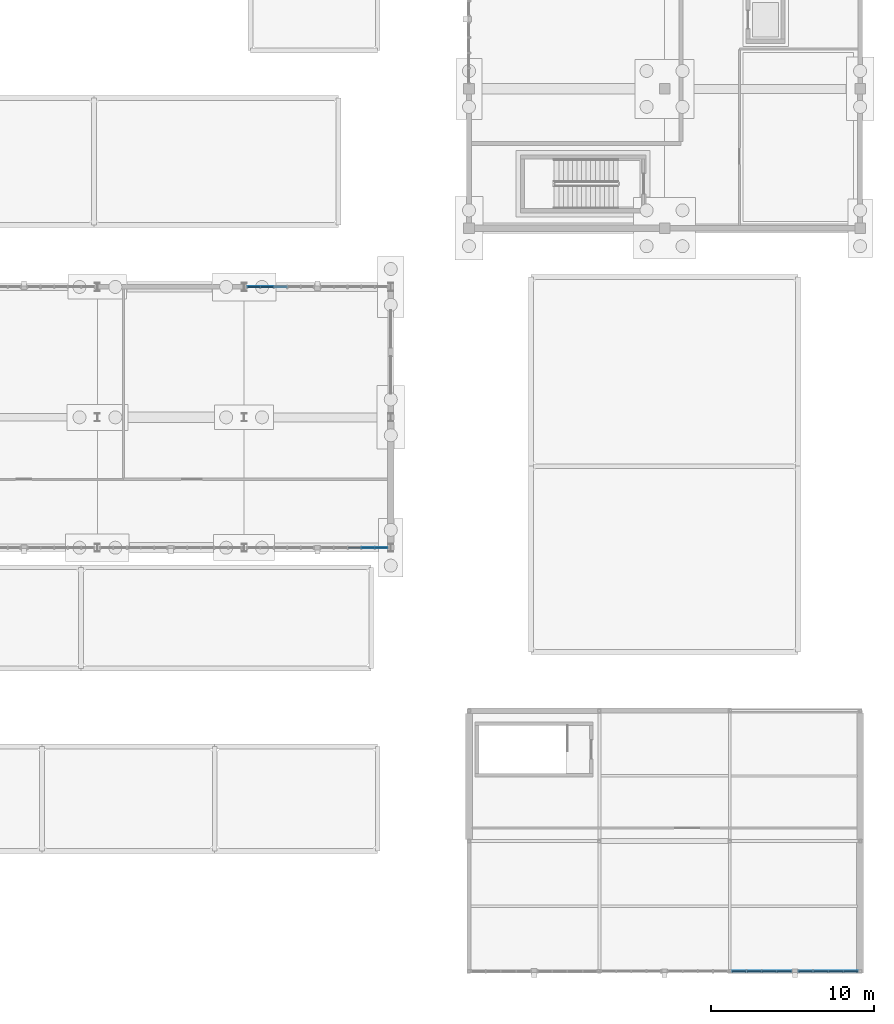
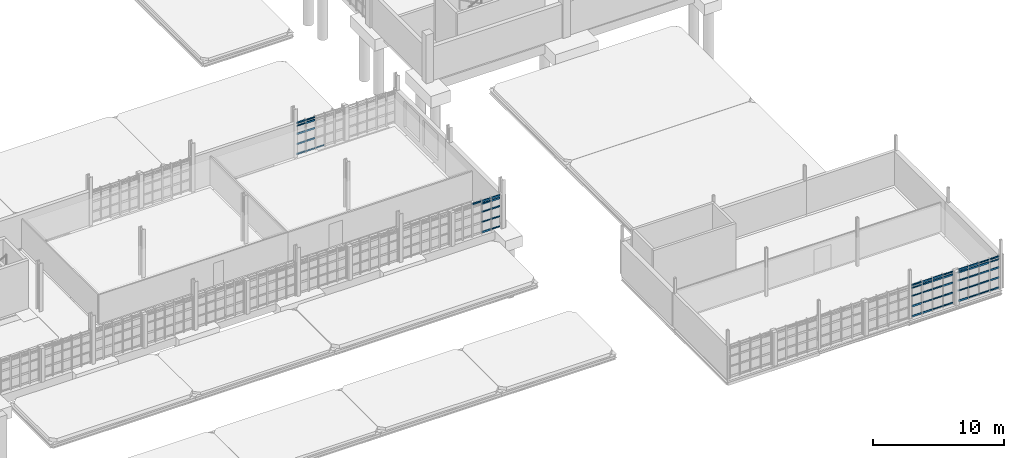
# One storey, part 69 of 125: 62 members, 4 elements without a shape of their own.
"""IFC4 building model written with IfcOpenShell, lengths in metres."""

from ifc_helpers import new_model, si_unit, direction, frame, origin, origin_2d, place, context, subcontext, project, spatial, rectangle, extrude, material, material_profile, profile_set, type_object, element, aggregate, save


model = new_model("IFC4")

# Units and contexts
model_context = context("Model", 3, precision=1e-05, world=origin(), true_north=direction((0.0, 1.0)))
body_context = subcontext(model_context, "Body", "Model", "MODEL_VIEW")
ifc_project = project(units=[si_unit("LENGTHUNIT", "METRE"), si_unit("AREAUNIT", "SQUARE_METRE"), si_unit("VOLUMEUNIT", "CUBIC_METRE"), si_unit("PLANEANGLEUNIT", "RADIAN"), si_unit("MASSUNIT", "GRAM", prefix="KILO")], contexts=[model_context])

# Site, building, storey
site_placement = place(None, origin())
site = spatial("IfcSite", under=ifc_project, at=site_placement, CompositionType="ELEMENT")
building_placement = place(site_placement, origin())
building = spatial("IfcBuilding", under=site, at=building_placement, Name="Serraforn Aerial Cableway Station", CompositionType="ELEMENT")
storey_placement = place(building_placement, frame((0.0, 0.0, 4.5)))
storey = spatial("IfcBuildingStorey", under=building, at=storey_placement, Name="L01", CompositionType="ELEMENT", Elevation=4.5)

# Curtain wall, members
ifc_material_1 = material(Name="Anodised bronze unitised curtain wall")
curtain_wall_type_1 = type_object("IfcCurtainWallType", Name="CW-SYS-7", PredefinedType="USERDEFINED", material=ifc_material_1)
curtain_wall_1_placement = place(storey_placement, origin())
curtain_wall_1 = element("IfcCurtainWall", 1, at=curtain_wall_1_placement, inside=storey, type_object=curtain_wall_type_1, Name="Unitised Curtain Wall CW-ES-L01-S3A", ObjectType="UNITISED CURTAIN WALL", PredefinedType="USERDEFINED")
ifc_material_2 = material(Name="Anodised bronze extruded aluminium", Category="aluminium")
ifc_material_profile_1 = material_profile(ifc_material_2, rectangle(XDim=0.054931640625, YDim=0.110107421875, at=origin_2d()), Name="CW TRANSOM 55x110")
ifc_profile_set_1 = profile_set([ifc_material_profile_1], Name="Anodised bronze extruded aluminium")
member_type_1 = type_object("IfcMemberType", Name="CW-TRN-1", PredefinedType="USERDEFINED", material=ifc_profile_set_1)
member_1_placement = place(storey_placement, frame((160.160888671875, 0.0, 1.996826171875), z_axis=(1.0, 0.0, 0.0), x_axis=(0.0, 1.0, 0.0)))
member_1 = element("IfcMember", 2, at=member_1_placement, type_object=member_type_1, Name="Curtain Wall Transom CW-ES-L01-S3A-T1-3", ObjectType="TRANSOM", PredefinedType="USERDEFINED", context=body_context, shape_type="SweptSolid", body=[
    extrude(rectangle(XDim=0.054931640625, YDim=0.110107421875, at=origin_2d()), origin(), (0.0, 0.0, 1.0), 0.834716796875),
])
member_2_placement = place(storey_placement, frame((161.0615234375, 0.0, 1.060791015625), z_axis=(1.0, 0.0, 0.0), x_axis=(0.0, 1.0, 0.0)))
member_2 = element("IfcMember", 3, at=member_2_placement, type_object=member_type_1, Name="Curtain Wall Transom CW-ES-L01-S3A-T2-2", ObjectType="TRANSOM", PredefinedType="USERDEFINED", context=body_context, shape_type="SweptSolid", body=[
    extrude(rectangle(XDim=0.054931640625, YDim=0.110107421875, at=origin_2d()), origin(), (0.0, 0.0, 1.0), 0.862060546875),
])
member_3_placement = place(storey_placement, frame((161.994384765625, 0.0, 0.124755859375), z_axis=(1.0, 0.0, 0.0), x_axis=(0.0, 1.0, 0.0)))
member_3 = element("IfcMember", 4, at=member_3_placement, type_object=member_type_1, Name="Curtain Wall Transom CW-ES-L01-S3A-T3-1", ObjectType="TRANSOM", PredefinedType="USERDEFINED", context=body_context, shape_type="SweptSolid", body=[
    extrude(rectangle(XDim=0.054931640625, YDim=0.110107421875, at=origin_2d()), origin(), (0.0, 0.0, 1.0), 0.86962890625),
])
member_4_placement = place(storey_placement, frame((162.9150390625, 0.0, 2.9951171875), z_axis=(1.0, 0.0, 0.0), x_axis=(0.0, 1.0, 0.0)))
member_4 = element("IfcMember", 5, at=member_4_placement, type_object=member_type_1, Name="Curtain Wall Transom CW-ES-L01-S3A-T4-5", ObjectType="TRANSOM", PredefinedType="USERDEFINED", context=body_context, shape_type="SweptSolid", body=[
    extrude(rectangle(XDim=0.054931640625, YDim=0.110107421875, at=origin_2d()), origin(), (0.0, 0.0, 1.0), 0.846923828125),
])

curtain_wall_type_2 = type_object("IfcCurtainWallType", Name="CW-SYS-8", PredefinedType="USERDEFINED", material=ifc_material_1)
curtain_wall_2_placement = place(storey_placement, origin())
curtain_wall_2 = element("IfcCurtainWall", 6, at=curtain_wall_2_placement, inside=storey, type_object=curtain_wall_type_2, Name="Unitised Curtain Wall CW-ES-L01-S3B", ObjectType="UNITISED CURTAIN WALL", PredefinedType="USERDEFINED")
member_5_placement = place(storey_placement, frame((164.248046875, 0.0, 1.060791015625), z_axis=(1.0, 0.0, 0.0), x_axis=(0.0, 1.0, 0.0)))
member_5 = element("IfcMember", 7, at=member_5_placement, type_object=member_type_1, Name="Curtain Wall Transom CW-ES-L01-S3B-T1-2", ObjectType="TRANSOM", PredefinedType="USERDEFINED", context=body_context, shape_type="SweptSolid", body=[
    extrude(rectangle(XDim=0.054931640625, YDim=0.110107421875, at=origin_2d()), origin(), (0.0, 0.0, 1.0), 0.826904296875),
])
member_6_placement = place(storey_placement, frame((165.14599609375, 0.0, 0.124755859375), z_axis=(1.0, 0.0, 0.0), x_axis=(0.0, 1.0, 0.0)))
member_6 = element("IfcMember", 8, at=member_6_placement, type_object=member_type_1, Name="Curtain Wall Transom CW-ES-L01-S3B-T2-1", ObjectType="TRANSOM", PredefinedType="USERDEFINED", context=body_context, shape_type="SweptSolid", body=[
    extrude(rectangle(XDim=0.054931640625, YDim=0.110107421875, at=origin_2d()), origin(), (0.0, 0.0, 1.0), 0.869384765625),
])
member_7_placement = place(storey_placement, frame((166.06640625, 0.0, 2.9951171875), z_axis=(1.0, 0.0, 0.0), x_axis=(0.0, 1.0, 0.0)))
member_7 = element("IfcMember", 9, at=member_7_placement, type_object=member_type_1, Name="Curtain Wall Transom CW-ES-L01-S3B-T3-5", ObjectType="TRANSOM", PredefinedType="USERDEFINED", context=body_context, shape_type="SweptSolid", body=[
    extrude(rectangle(XDim=0.054931640625, YDim=0.110107421875, at=origin_2d()), origin(), (0.0, 0.0, 1.0), 0.877197265625),
])
member_8_placement = place(storey_placement, frame((166.99951171875, 0.0, 2.74560546875), z_axis=(1.0, 0.0, 0.0), x_axis=(0.0, 1.0, 0.0)))
member_8 = element("IfcMember", 10, at=member_8_placement, type_object=member_type_1, Name="Curtain Wall Transom CW-ES-L01-S3B-T4-4", ObjectType="TRANSOM", PredefinedType="USERDEFINED", context=body_context, shape_type="SweptSolid", body=[
    extrude(rectangle(XDim=0.054931640625, YDim=0.110107421875, at=origin_2d()), origin(), (0.0, 0.0, 1.0), 0.839599609375),
])

curtain_wall_type_3 = type_object("IfcCurtainWallType", Name="CW-SYS-20", PredefinedType="USERDEFINED", material=ifc_material_1)
curtain_wall_3_placement = place(storey_placement, origin())
curtain_wall_3 = element("IfcCurtainWall", 11, at=curtain_wall_3_placement, inside=storey, type_object=curtain_wall_type_3, Name="Unitised Curtain Wall CW-EL-L01-S5B", ObjectType="UNITISED CURTAIN WALL", PredefinedType="USERDEFINED")
member_9_placement = place(storey_placement, frame((137.416259765625, 26.0, 1.060791015625), z_axis=(1.0, 0.0, 0.0), x_axis=(0.0, 1.0, 0.0)))
member_9 = element("IfcMember", 12, at=member_9_placement, type_object=member_type_1, Name="Curtain Wall Transom CW-EL-L01-S5B-T4-2", ObjectType="TRANSOM", PredefinedType="USERDEFINED", context=body_context, shape_type="SweptSolid", body=[
    extrude(rectangle(XDim=0.054931640625, YDim=0.110107421875, at=origin_2d()), origin(), (0.0, 0.0, 1.0), 0.765869140625),
])
member_10_placement = place(storey_placement, frame((138.253173828125, 26.0, 0.124755859375), z_axis=(1.0, 0.0, 0.0), x_axis=(0.0, 1.0, 0.0)))
member_10 = element("IfcMember", 13, at=member_10_placement, type_object=member_type_1, Name="Curtain Wall Transom CW-EL-L01-S5B-T5-1", ObjectType="TRANSOM", PredefinedType="USERDEFINED", context=body_context, shape_type="SweptSolid", body=[
    extrude(rectangle(XDim=0.054931640625, YDim=0.110107421875, at=origin_2d()), origin(), (0.0, 0.0, 1.0), 0.745849609375),
])

curtain_wall_type_4 = type_object("IfcCurtainWallType", Name="CW-SYS-22", PredefinedType="USERDEFINED", material=ifc_material_1)
curtain_wall_4_placement = place(storey_placement, origin())
curtain_wall_4 = element("IfcCurtainWall", 14, at=curtain_wall_4_placement, inside=storey, type_object=curtain_wall_type_4, Name="Unitised Curtain Wall CW-EL-L01-N5B", ObjectType="UNITISED CURTAIN WALL", PredefinedType="USERDEFINED")
member_11_placement = place(storey_placement, frame((132.815673828125, 42.0, 0.124755859375), z_axis=(-1.0, 0.0, 0.0), x_axis=(0.0, -1.0, 0.0)))
member_11 = element("IfcMember", 15, at=member_11_placement, type_object=member_type_1, Name="Curtain Wall Transom CW-EL-L01-N5B-T3-1", ObjectType="TRANSOM", PredefinedType="USERDEFINED", context=body_context, shape_type="SweptSolid", body=[
    extrude(rectangle(XDim=0.054931640625, YDim=0.110107421875, at=origin_2d()), origin(), (0.0, 0.0, 1.0), 0.7734375),
])
member_12_placement = place(storey_placement, frame((131.9912109375, 42.0, 2.9951171875), z_axis=(-1.0, 0.0, 0.0), x_axis=(0.0, -1.0, 0.0)))
member_12 = element("IfcMember", 16, at=member_12_placement, type_object=member_type_1, Name="Curtain Wall Transom CW-EL-L01-N5B-T4-5", ObjectType="TRANSOM", PredefinedType="USERDEFINED", context=body_context, shape_type="SweptSolid", body=[
    extrude(rectangle(XDim=0.054931640625, YDim=0.110107421875, at=origin_2d()), origin(), (0.0, 0.0, 1.0), 0.78076171875),
])
member_13_placement = place(storey_placement, frame((131.154296875, 42.0, 2.74560546875), z_axis=(-1.0, 0.0, 0.0), x_axis=(0.0, -1.0, 0.0)))
member_13 = element("IfcMember", 17, at=member_13_placement, type_object=member_type_1, Name="Curtain Wall Transom CW-EL-L01-N5B-T5-4", ObjectType="TRANSOM", PredefinedType="USERDEFINED", context=body_context, shape_type="SweptSolid", body=[
    extrude(rectangle(XDim=0.054931640625, YDim=0.110107421875, at=origin_2d()), origin(), (0.0, 0.0, 1.0), 0.743408203125),
])

# Member
ifc_material_profile_2 = material_profile(ifc_material_2, rectangle(XDim=0.06005859375, YDim=0.1201171875, at=origin_2d()), Name="CW TRANSOM 60x120")
ifc_profile_set_2 = profile_set([ifc_material_profile_2], Name="Anodised bronze extruded aluminium")
member_type_2 = type_object("IfcMemberType", Name="CW-TRN-2", PredefinedType="USERDEFINED", material=ifc_profile_set_2)
member_14_placement = place(storey_placement, frame((160.160888671875, 0.0, 2.74560546875), z_axis=(1.0, 0.0, 0.0), x_axis=(0.0, 1.0, 0.0)))
member_14 = element("IfcMember", 18, at=member_14_placement, type_object=member_type_2, Name="Curtain Wall Transom CW-ES-L01-S3A-T1-4", ObjectType="TRANSOM", PredefinedType="USERDEFINED", context=body_context, shape_type="SweptSolid", body=[
    extrude(rectangle(XDim=0.06005859375, YDim=0.1201171875, at=origin_2d()), origin(), (0.0, 0.0, 1.0), 0.834716796875),
])

member_15_placement = place(storey_placement, frame((161.0615234375, 0.0, 1.996826171875), z_axis=(1.0, 0.0, 0.0), x_axis=(0.0, 1.0, 0.0)))
member_15 = element("IfcMember", 19, at=member_15_placement, type_object=member_type_2, Name="Curtain Wall Transom CW-ES-L01-S3A-T2-3", ObjectType="TRANSOM", PredefinedType="USERDEFINED", context=body_context, shape_type="SweptSolid", body=[
    extrude(rectangle(XDim=0.06005859375, YDim=0.1201171875, at=origin_2d()), origin(), (0.0, 0.0, 1.0), 0.862060546875),
])

member_16_placement = place(storey_placement, frame((161.994384765625, 0.0, 1.060791015625), z_axis=(1.0, 0.0, 0.0), x_axis=(0.0, 1.0, 0.0)))
member_16 = element("IfcMember", 20, at=member_16_placement, type_object=member_type_2, Name="Curtain Wall Transom CW-ES-L01-S3A-T3-2", ObjectType="TRANSOM", PredefinedType="USERDEFINED", context=body_context, shape_type="SweptSolid", body=[
    extrude(rectangle(XDim=0.06005859375, YDim=0.1201171875, at=origin_2d()), origin(), (0.0, 0.0, 1.0), 0.86962890625),
])

member_17_placement = place(storey_placement, frame((162.9150390625, 0.0, 0.124755859375), z_axis=(1.0, 0.0, 0.0), x_axis=(0.0, 1.0, 0.0)))
member_17 = element("IfcMember", 21, at=member_17_placement, type_object=member_type_2, Name="Curtain Wall Transom CW-ES-L01-S3A-T4-1", ObjectType="TRANSOM", PredefinedType="USERDEFINED", context=body_context, shape_type="SweptSolid", body=[
    extrude(rectangle(XDim=0.06005859375, YDim=0.1201171875, at=origin_2d()), origin(), (0.0, 0.0, 1.0), 0.846923828125),
])

member_18_placement = place(storey_placement, frame((164.248046875, 0.0, 1.996826171875), z_axis=(1.0, 0.0, 0.0), x_axis=(0.0, 1.0, 0.0)))
member_18 = element("IfcMember", 22, at=member_18_placement, type_object=member_type_2, Name="Curtain Wall Transom CW-ES-L01-S3B-T1-3", ObjectType="TRANSOM", PredefinedType="USERDEFINED", context=body_context, shape_type="SweptSolid", body=[
    extrude(rectangle(XDim=0.06005859375, YDim=0.1201171875, at=origin_2d()), origin(), (0.0, 0.0, 1.0), 0.826904296875),
])

member_19_placement = place(storey_placement, frame((165.14599609375, 0.0, 1.060791015625), z_axis=(1.0, 0.0, 0.0), x_axis=(0.0, 1.0, 0.0)))
member_19 = element("IfcMember", 23, at=member_19_placement, type_object=member_type_2, Name="Curtain Wall Transom CW-ES-L01-S3B-T2-2", ObjectType="TRANSOM", PredefinedType="USERDEFINED", context=body_context, shape_type="SweptSolid", body=[
    extrude(rectangle(XDim=0.06005859375, YDim=0.1201171875, at=origin_2d()), origin(), (0.0, 0.0, 1.0), 0.869384765625),
])

member_20_placement = place(storey_placement, frame((166.06640625, 0.0, 0.124755859375), z_axis=(1.0, 0.0, 0.0), x_axis=(0.0, 1.0, 0.0)))
member_20 = element("IfcMember", 24, at=member_20_placement, type_object=member_type_2, Name="Curtain Wall Transom CW-ES-L01-S3B-T3-1", ObjectType="TRANSOM", PredefinedType="USERDEFINED", context=body_context, shape_type="SweptSolid", body=[
    extrude(rectangle(XDim=0.06005859375, YDim=0.1201171875, at=origin_2d()), origin(), (0.0, 0.0, 1.0), 0.877197265625),
])

member_21_placement = place(storey_placement, frame((166.99951171875, 0.0, 2.9951171875), z_axis=(1.0, 0.0, 0.0), x_axis=(0.0, 1.0, 0.0)))
member_21 = element("IfcMember", 25, at=member_21_placement, type_object=member_type_2, Name="Curtain Wall Transom CW-ES-L01-S3B-T4-5", ObjectType="TRANSOM", PredefinedType="USERDEFINED", context=body_context, shape_type="SweptSolid", body=[
    extrude(rectangle(XDim=0.06005859375, YDim=0.1201171875, at=origin_2d()), origin(), (0.0, 0.0, 1.0), 0.839599609375),
])

member_22_placement = place(storey_placement, frame((137.416259765625, 26.0, 1.996826171875), z_axis=(1.0, 0.0, 0.0), x_axis=(0.0, 1.0, 0.0)))
member_22 = element("IfcMember", 26, at=member_22_placement, type_object=member_type_2, Name="Curtain Wall Transom CW-EL-L01-S5B-T4-3", ObjectType="TRANSOM", PredefinedType="USERDEFINED", context=body_context, shape_type="SweptSolid", body=[
    extrude(rectangle(XDim=0.06005859375, YDim=0.1201171875, at=origin_2d()), origin(), (0.0, 0.0, 1.0), 0.765869140625),
])

member_23_placement = place(storey_placement, frame((138.253173828125, 26.0, 1.060791015625), z_axis=(1.0, 0.0, 0.0), x_axis=(0.0, 1.0, 0.0)))
member_23 = element("IfcMember", 27, at=member_23_placement, type_object=member_type_2, Name="Curtain Wall Transom CW-EL-L01-S5B-T5-2", ObjectType="TRANSOM", PredefinedType="USERDEFINED", context=body_context, shape_type="SweptSolid", body=[
    extrude(rectangle(XDim=0.06005859375, YDim=0.1201171875, at=origin_2d()), origin(), (0.0, 0.0, 1.0), 0.745849609375),
])

member_24_placement = place(storey_placement, frame((131.9912109375, 42.0, 0.124755859375), z_axis=(-1.0, 0.0, 0.0), x_axis=(0.0, -1.0, 0.0)))
member_24 = element("IfcMember", 28, at=member_24_placement, type_object=member_type_2, Name="Curtain Wall Transom CW-EL-L01-N5B-T4-1", ObjectType="TRANSOM", PredefinedType="USERDEFINED", context=body_context, shape_type="SweptSolid", body=[
    extrude(rectangle(XDim=0.06005859375, YDim=0.1201171875, at=origin_2d()), origin(), (0.0, 0.0, 1.0), 0.78076171875),
])

member_25_placement = place(storey_placement, frame((131.154296875, 42.0, 2.9951171875), z_axis=(-1.0, 0.0, 0.0), x_axis=(0.0, -1.0, 0.0)))
member_25 = element("IfcMember", 29, at=member_25_placement, type_object=member_type_2, Name="Curtain Wall Transom CW-EL-L01-N5B-T5-5", ObjectType="TRANSOM", PredefinedType="USERDEFINED", context=body_context, shape_type="SweptSolid", body=[
    extrude(rectangle(XDim=0.06005859375, YDim=0.1201171875, at=origin_2d()), origin(), (0.0, 0.0, 1.0), 0.743408203125),
])

ifc_material_profile_3 = material_profile(ifc_material_2, rectangle(XDim=0.06494140625, YDim=0.135009765625, at=origin_2d()), Name="CW TRANSOM 65x135")
ifc_profile_set_3 = profile_set([ifc_material_profile_3], Name="Anodised bronze extruded aluminium")
member_type_3 = type_object("IfcMemberType", Name="CW-TRN-3", PredefinedType="USERDEFINED", material=ifc_profile_set_3)
member_26_placement = place(storey_placement, frame((160.160888671875, 0.0, 2.9951171875), z_axis=(1.0, 0.0, 0.0), x_axis=(0.0, 1.0, 0.0)))
member_26 = element("IfcMember", 30, at=member_26_placement, type_object=member_type_3, Name="Curtain Wall Transom CW-ES-L01-S3A-T1-5", ObjectType="TRANSOM", PredefinedType="USERDEFINED", context=body_context, shape_type="SweptSolid", body=[
    extrude(rectangle(XDim=0.06494140625, YDim=0.135009765625, at=origin_2d()), origin(), (0.0, 0.0, 1.0), 0.834716796875),
])

member_27_placement = place(storey_placement, frame((161.0615234375, 0.0, 2.74560546875), z_axis=(1.0, 0.0, 0.0), x_axis=(0.0, 1.0, 0.0)))
member_27 = element("IfcMember", 31, at=member_27_placement, type_object=member_type_3, Name="Curtain Wall Transom CW-ES-L01-S3A-T2-4", ObjectType="TRANSOM", PredefinedType="USERDEFINED", context=body_context, shape_type="SweptSolid", body=[
    extrude(rectangle(XDim=0.06494140625, YDim=0.135009765625, at=origin_2d()), origin(), (0.0, 0.0, 1.0), 0.862060546875),
])

member_28_placement = place(storey_placement, frame((161.994384765625, 0.0, 1.996826171875), z_axis=(1.0, 0.0, 0.0), x_axis=(0.0, 1.0, 0.0)))
member_28 = element("IfcMember", 32, at=member_28_placement, type_object=member_type_3, Name="Curtain Wall Transom CW-ES-L01-S3A-T3-3", ObjectType="TRANSOM", PredefinedType="USERDEFINED", context=body_context, shape_type="SweptSolid", body=[
    extrude(rectangle(XDim=0.06494140625, YDim=0.135009765625, at=origin_2d()), origin(), (0.0, 0.0, 1.0), 0.86962890625),
])

member_29_placement = place(storey_placement, frame((162.9150390625, 0.0, 1.060791015625), z_axis=(1.0, 0.0, 0.0), x_axis=(0.0, 1.0, 0.0)))
member_29 = element("IfcMember", 33, at=member_29_placement, type_object=member_type_3, Name="Curtain Wall Transom CW-ES-L01-S3A-T4-2", ObjectType="TRANSOM", PredefinedType="USERDEFINED", context=body_context, shape_type="SweptSolid", body=[
    extrude(rectangle(XDim=0.06494140625, YDim=0.135009765625, at=origin_2d()), origin(), (0.0, 0.0, 1.0), 0.846923828125),
])

member_30_placement = place(storey_placement, frame((164.248046875, 0.0, 2.74560546875), z_axis=(1.0, 0.0, 0.0), x_axis=(0.0, 1.0, 0.0)))
member_30 = element("IfcMember", 34, at=member_30_placement, type_object=member_type_3, Name="Curtain Wall Transom CW-ES-L01-S3B-T1-4", ObjectType="TRANSOM", PredefinedType="USERDEFINED", context=body_context, shape_type="SweptSolid", body=[
    extrude(rectangle(XDim=0.06494140625, YDim=0.135009765625, at=origin_2d()), origin(), (0.0, 0.0, 1.0), 0.826904296875),
])

member_31_placement = place(storey_placement, frame((165.14599609375, 0.0, 1.996826171875), z_axis=(1.0, 0.0, 0.0), x_axis=(0.0, 1.0, 0.0)))
member_31 = element("IfcMember", 35, at=member_31_placement, type_object=member_type_3, Name="Curtain Wall Transom CW-ES-L01-S3B-T2-3", ObjectType="TRANSOM", PredefinedType="USERDEFINED", context=body_context, shape_type="SweptSolid", body=[
    extrude(rectangle(XDim=0.06494140625, YDim=0.135009765625, at=origin_2d()), origin(), (0.0, 0.0, 1.0), 0.869384765625),
])

member_32_placement = place(storey_placement, frame((166.06640625, 0.0, 1.060791015625), z_axis=(1.0, 0.0, 0.0), x_axis=(0.0, 1.0, 0.0)))
member_32 = element("IfcMember", 36, at=member_32_placement, type_object=member_type_3, Name="Curtain Wall Transom CW-ES-L01-S3B-T3-2", ObjectType="TRANSOM", PredefinedType="USERDEFINED", context=body_context, shape_type="SweptSolid", body=[
    extrude(rectangle(XDim=0.06494140625, YDim=0.135009765625, at=origin_2d()), origin(), (0.0, 0.0, 1.0), 0.877197265625),
])

member_33_placement = place(storey_placement, frame((166.99951171875, 0.0, 0.124755859375), z_axis=(1.0, 0.0, 0.0), x_axis=(0.0, 1.0, 0.0)))
member_33 = element("IfcMember", 37, at=member_33_placement, type_object=member_type_3, Name="Curtain Wall Transom CW-ES-L01-S3B-T4-1", ObjectType="TRANSOM", PredefinedType="USERDEFINED", context=body_context, shape_type="SweptSolid", body=[
    extrude(rectangle(XDim=0.06494140625, YDim=0.135009765625, at=origin_2d()), origin(), (0.0, 0.0, 1.0), 0.839599609375),
])

member_34_placement = place(storey_placement, frame((136.579345703125, 26.0, 2.9951171875), z_axis=(1.0, 0.0, 0.0), x_axis=(0.0, 1.0, 0.0)))
member_34 = element("IfcMember", 38, at=member_34_placement, type_object=member_type_3, Name="Curtain Wall Transom CW-EL-L01-S5B-T3-5", ObjectType="TRANSOM", PredefinedType="USERDEFINED", context=body_context, shape_type="SweptSolid", body=[
    extrude(rectangle(XDim=0.06494140625, YDim=0.135009765625, at=origin_2d()), origin(), (0.0, 0.0, 1.0), 0.770751953125),
])

member_35_placement = place(storey_placement, frame((137.416259765625, 26.0, 2.74560546875), z_axis=(1.0, 0.0, 0.0), x_axis=(0.0, 1.0, 0.0)))
member_35 = element("IfcMember", 39, at=member_35_placement, type_object=member_type_3, Name="Curtain Wall Transom CW-EL-L01-S5B-T4-4", ObjectType="TRANSOM", PredefinedType="USERDEFINED", context=body_context, shape_type="SweptSolid", body=[
    extrude(rectangle(XDim=0.06494140625, YDim=0.135009765625, at=origin_2d()), origin(), (0.0, 0.0, 1.0), 0.765869140625),
])

member_36_placement = place(storey_placement, frame((138.253173828125, 26.0, 1.996826171875), z_axis=(1.0, 0.0, 0.0), x_axis=(0.0, 1.0, 0.0)))
member_36 = element("IfcMember", 40, at=member_36_placement, type_object=member_type_3, Name="Curtain Wall Transom CW-EL-L01-S5B-T5-3", ObjectType="TRANSOM", PredefinedType="USERDEFINED", context=body_context, shape_type="SweptSolid", body=[
    extrude(rectangle(XDim=0.06494140625, YDim=0.135009765625, at=origin_2d()), origin(), (0.0, 0.0, 1.0), 0.745849609375),
])

member_37_placement = place(storey_placement, frame((131.9912109375, 42.0, 1.060791015625), z_axis=(-1.0, 0.0, 0.0), x_axis=(0.0, -1.0, 0.0)))
member_37 = element("IfcMember", 41, at=member_37_placement, type_object=member_type_3, Name="Curtain Wall Transom CW-EL-L01-N5B-T4-2", ObjectType="TRANSOM", PredefinedType="USERDEFINED", context=body_context, shape_type="SweptSolid", body=[
    extrude(rectangle(XDim=0.06494140625, YDim=0.135009765625, at=origin_2d()), origin(), (0.0, 0.0, 1.0), 0.78076171875),
])

member_38_placement = place(storey_placement, frame((131.154296875, 42.0, 0.124755859375), z_axis=(-1.0, 0.0, 0.0), x_axis=(0.0, -1.0, 0.0)))
member_38 = element("IfcMember", 42, at=member_38_placement, type_object=member_type_3, Name="Curtain Wall Transom CW-EL-L01-N5B-T5-1", ObjectType="TRANSOM", PredefinedType="USERDEFINED", context=body_context, shape_type="SweptSolid", body=[
    extrude(rectangle(XDim=0.06494140625, YDim=0.135009765625, at=origin_2d()), origin(), (0.0, 0.0, 1.0), 0.743408203125),
])

ifc_material_profile_4 = material_profile(ifc_material_2, rectangle(XDim=0.070068359375, YDim=0.14990234375, at=origin_2d()), Name="CW TRANSOM 70x150")
ifc_profile_set_4 = profile_set([ifc_material_profile_4], Name="Anodised bronze extruded aluminium")
member_type_4 = type_object("IfcMemberType", Name="CW-TRN-4", PredefinedType="USERDEFINED", material=ifc_profile_set_4)
member_39_placement = place(storey_placement, frame((160.160888671875, 0.0, 0.124755859375), z_axis=(1.0, 0.0, 0.0), x_axis=(0.0, 1.0, 0.0)))
member_39 = element("IfcMember", 43, at=member_39_placement, type_object=member_type_4, Name="Curtain Wall Transom CW-ES-L01-S3A-T1-1", ObjectType="TRANSOM", PredefinedType="USERDEFINED", context=body_context, shape_type="SweptSolid", body=[
    extrude(rectangle(XDim=0.070068359375, YDim=0.14990234375, at=origin_2d()), origin(), (0.0, 0.0, 1.0), 0.834716796875),
])

member_40_placement = place(storey_placement, frame((161.0615234375, 0.0, 2.9951171875), z_axis=(1.0, 0.0, 0.0), x_axis=(0.0, 1.0, 0.0)))
member_40 = element("IfcMember", 44, at=member_40_placement, type_object=member_type_4, Name="Curtain Wall Transom CW-ES-L01-S3A-T2-5", ObjectType="TRANSOM", PredefinedType="USERDEFINED", context=body_context, shape_type="SweptSolid", body=[
    extrude(rectangle(XDim=0.070068359375, YDim=0.14990234375, at=origin_2d()), origin(), (0.0, 0.0, 1.0), 0.862060546875),
])

member_41_placement = place(storey_placement, frame((161.994384765625, 0.0, 2.74560546875), z_axis=(1.0, 0.0, 0.0), x_axis=(0.0, 1.0, 0.0)))
member_41 = element("IfcMember", 45, at=member_41_placement, type_object=member_type_4, Name="Curtain Wall Transom CW-ES-L01-S3A-T3-4", ObjectType="TRANSOM", PredefinedType="USERDEFINED", context=body_context, shape_type="SweptSolid", body=[
    extrude(rectangle(XDim=0.070068359375, YDim=0.14990234375, at=origin_2d()), origin(), (0.0, 0.0, 1.0), 0.86962890625),
])

member_42_placement = place(storey_placement, frame((162.9150390625, 0.0, 1.996826171875), z_axis=(1.0, 0.0, 0.0), x_axis=(0.0, 1.0, 0.0)))
member_42 = element("IfcMember", 46, at=member_42_placement, type_object=member_type_4, Name="Curtain Wall Transom CW-ES-L01-S3A-T4-3", ObjectType="TRANSOM", PredefinedType="USERDEFINED", context=body_context, shape_type="SweptSolid", body=[
    extrude(rectangle(XDim=0.070068359375, YDim=0.14990234375, at=origin_2d()), origin(), (0.0, 0.0, 1.0), 0.846923828125),
])

member_43_placement = place(storey_placement, frame((164.248046875, 0.0, 2.9951171875), z_axis=(1.0, 0.0, 0.0), x_axis=(0.0, 1.0, 0.0)))
member_43 = element("IfcMember", 47, at=member_43_placement, type_object=member_type_4, Name="Curtain Wall Transom CW-ES-L01-S3B-T1-5", ObjectType="TRANSOM", PredefinedType="USERDEFINED", context=body_context, shape_type="SweptSolid", body=[
    extrude(rectangle(XDim=0.070068359375, YDim=0.14990234375, at=origin_2d()), origin(), (0.0, 0.0, 1.0), 0.826904296875),
])

member_44_placement = place(storey_placement, frame((165.14599609375, 0.0, 2.74560546875), z_axis=(1.0, 0.0, 0.0), x_axis=(0.0, 1.0, 0.0)))
member_44 = element("IfcMember", 48, at=member_44_placement, type_object=member_type_4, Name="Curtain Wall Transom CW-ES-L01-S3B-T2-4", ObjectType="TRANSOM", PredefinedType="USERDEFINED", context=body_context, shape_type="SweptSolid", body=[
    extrude(rectangle(XDim=0.070068359375, YDim=0.14990234375, at=origin_2d()), origin(), (0.0, 0.0, 1.0), 0.869384765625),
])

member_45_placement = place(storey_placement, frame((166.06640625, 0.0, 1.996826171875), z_axis=(1.0, 0.0, 0.0), x_axis=(0.0, 1.0, 0.0)))
member_45 = element("IfcMember", 49, at=member_45_placement, type_object=member_type_4, Name="Curtain Wall Transom CW-ES-L01-S3B-T3-3", ObjectType="TRANSOM", PredefinedType="USERDEFINED", context=body_context, shape_type="SweptSolid", body=[
    extrude(rectangle(XDim=0.070068359375, YDim=0.14990234375, at=origin_2d()), origin(), (0.0, 0.0, 1.0), 0.877197265625),
])

member_46_placement = place(storey_placement, frame((166.99951171875, 0.0, 1.060791015625), z_axis=(1.0, 0.0, 0.0), x_axis=(0.0, 1.0, 0.0)))
member_46 = element("IfcMember", 50, at=member_46_placement, type_object=member_type_4, Name="Curtain Wall Transom CW-ES-L01-S3B-T4-2", ObjectType="TRANSOM", PredefinedType="USERDEFINED", context=body_context, shape_type="SweptSolid", body=[
    extrude(rectangle(XDim=0.070068359375, YDim=0.14990234375, at=origin_2d()), origin(), (0.0, 0.0, 1.0), 0.839599609375),
])

member_47_placement = place(storey_placement, frame((137.416259765625, 26.0, 2.9951171875), z_axis=(1.0, 0.0, 0.0), x_axis=(0.0, 1.0, 0.0)))
member_47 = element("IfcMember", 51, at=member_47_placement, type_object=member_type_4, Name="Curtain Wall Transom CW-EL-L01-S5B-T4-5", ObjectType="TRANSOM", PredefinedType="USERDEFINED", context=body_context, shape_type="SweptSolid", body=[
    extrude(rectangle(XDim=0.070068359375, YDim=0.14990234375, at=origin_2d()), origin(), (0.0, 0.0, 1.0), 0.765869140625),
])

member_48_placement = place(storey_placement, frame((138.253173828125, 26.0, 2.74560546875), z_axis=(1.0, 0.0, 0.0), x_axis=(0.0, 1.0, 0.0)))
member_48 = element("IfcMember", 52, at=member_48_placement, type_object=member_type_4, Name="Curtain Wall Transom CW-EL-L01-S5B-T5-4", ObjectType="TRANSOM", PredefinedType="USERDEFINED", context=body_context, shape_type="SweptSolid", body=[
    extrude(rectangle(XDim=0.070068359375, YDim=0.14990234375, at=origin_2d()), origin(), (0.0, 0.0, 1.0), 0.745849609375),
])

member_49_placement = place(storey_placement, frame((131.9912109375, 42.0, 1.996826171875), z_axis=(-1.0, 0.0, 0.0), x_axis=(0.0, -1.0, 0.0)))
member_49 = element("IfcMember", 53, at=member_49_placement, type_object=member_type_4, Name="Curtain Wall Transom CW-EL-L01-N5B-T4-3", ObjectType="TRANSOM", PredefinedType="USERDEFINED", context=body_context, shape_type="SweptSolid", body=[
    extrude(rectangle(XDim=0.070068359375, YDim=0.14990234375, at=origin_2d()), origin(), (0.0, 0.0, 1.0), 0.78076171875),
])

member_50_placement = place(storey_placement, frame((131.154296875, 42.0, 1.060791015625), z_axis=(-1.0, 0.0, 0.0), x_axis=(0.0, -1.0, 0.0)))
member_50 = element("IfcMember", 54, at=member_50_placement, type_object=member_type_4, Name="Curtain Wall Transom CW-EL-L01-N5B-T5-2", ObjectType="TRANSOM", PredefinedType="USERDEFINED", context=body_context, shape_type="SweptSolid", body=[
    extrude(rectangle(XDim=0.070068359375, YDim=0.14990234375, at=origin_2d()), origin(), (0.0, 0.0, 1.0), 0.743408203125),
])

ifc_material_profile_5 = material_profile(ifc_material_2, rectangle(XDim=0.074951171875, YDim=0.1650390625, at=origin_2d()), Name="CW TRANSOM 75x165")
ifc_profile_set_5 = profile_set([ifc_material_profile_5], Name="Anodised bronze extruded aluminium")
member_type_5 = type_object("IfcMemberType", Name="CW-TRN-5", PredefinedType="USERDEFINED", material=ifc_profile_set_5)
member_51_placement = place(storey_placement, frame((160.160888671875, 0.0, 1.060791015625), z_axis=(1.0, 0.0, 0.0), x_axis=(0.0, 1.0, 0.0)))
member_51 = element("IfcMember", 55, at=member_51_placement, type_object=member_type_5, Name="Curtain Wall Transom CW-ES-L01-S3A-T1-2", ObjectType="TRANSOM", PredefinedType="USERDEFINED", context=body_context, shape_type="SweptSolid", body=[
    extrude(rectangle(XDim=0.074951171875, YDim=0.1650390625, at=origin_2d()), origin(), (0.0, 0.0, 1.0), 0.834716796875),
])

member_52_placement = place(storey_placement, frame((161.0615234375, 0.0, 0.124755859375), z_axis=(1.0, 0.0, 0.0), x_axis=(0.0, 1.0, 0.0)))
member_52 = element("IfcMember", 56, at=member_52_placement, type_object=member_type_5, Name="Curtain Wall Transom CW-ES-L01-S3A-T2-1", ObjectType="TRANSOM", PredefinedType="USERDEFINED", context=body_context, shape_type="SweptSolid", body=[
    extrude(rectangle(XDim=0.074951171875, YDim=0.1650390625, at=origin_2d()), origin(), (0.0, 0.0, 1.0), 0.862060546875),
])

member_53_placement = place(storey_placement, frame((161.994384765625, 0.0, 2.9951171875), z_axis=(1.0, 0.0, 0.0), x_axis=(0.0, 1.0, 0.0)))
member_53 = element("IfcMember", 57, at=member_53_placement, type_object=member_type_5, Name="Curtain Wall Transom CW-ES-L01-S3A-T3-5", ObjectType="TRANSOM", PredefinedType="USERDEFINED", context=body_context, shape_type="SweptSolid", body=[
    extrude(rectangle(XDim=0.074951171875, YDim=0.1650390625, at=origin_2d()), origin(), (0.0, 0.0, 1.0), 0.86962890625),
])

member_54_placement = place(storey_placement, frame((162.9150390625, 0.0, 2.74560546875), z_axis=(1.0, 0.0, 0.0), x_axis=(0.0, 1.0, 0.0)))
member_54 = element("IfcMember", 58, at=member_54_placement, type_object=member_type_5, Name="Curtain Wall Transom CW-ES-L01-S3A-T4-4", ObjectType="TRANSOM", PredefinedType="USERDEFINED", context=body_context, shape_type="SweptSolid", body=[
    extrude(rectangle(XDim=0.074951171875, YDim=0.1650390625, at=origin_2d()), origin(), (0.0, 0.0, 1.0), 0.846923828125),
])

aggregate(curtain_wall_1, [member_39, member_51, member_1, member_14, member_26, member_52, member_2, member_15, member_27, member_40, member_3, member_16, member_28, member_41, member_53, member_17, member_29, member_42, member_54, member_4])

member_55_placement = place(storey_placement, frame((164.248046875, 0.0, 0.124755859375), z_axis=(1.0, 0.0, 0.0), x_axis=(0.0, 1.0, 0.0)))
member_55 = element("IfcMember", 59, at=member_55_placement, type_object=member_type_5, Name="Curtain Wall Transom CW-ES-L01-S3B-T1-1", ObjectType="TRANSOM", PredefinedType="USERDEFINED", context=body_context, shape_type="SweptSolid", body=[
    extrude(rectangle(XDim=0.074951171875, YDim=0.1650390625, at=origin_2d()), origin(), (0.0, 0.0, 1.0), 0.826904296875),
])

member_56_placement = place(storey_placement, frame((165.14599609375, 0.0, 2.9951171875), z_axis=(1.0, 0.0, 0.0), x_axis=(0.0, 1.0, 0.0)))
member_56 = element("IfcMember", 60, at=member_56_placement, type_object=member_type_5, Name="Curtain Wall Transom CW-ES-L01-S3B-T2-5", ObjectType="TRANSOM", PredefinedType="USERDEFINED", context=body_context, shape_type="SweptSolid", body=[
    extrude(rectangle(XDim=0.074951171875, YDim=0.1650390625, at=origin_2d()), origin(), (0.0, 0.0, 1.0), 0.869384765625),
])

member_57_placement = place(storey_placement, frame((166.06640625, 0.0, 2.74560546875), z_axis=(1.0, 0.0, 0.0), x_axis=(0.0, 1.0, 0.0)))
member_57 = element("IfcMember", 61, at=member_57_placement, type_object=member_type_5, Name="Curtain Wall Transom CW-ES-L01-S3B-T3-4", ObjectType="TRANSOM", PredefinedType="USERDEFINED", context=body_context, shape_type="SweptSolid", body=[
    extrude(rectangle(XDim=0.074951171875, YDim=0.1650390625, at=origin_2d()), origin(), (0.0, 0.0, 1.0), 0.877197265625),
])

member_58_placement = place(storey_placement, frame((166.99951171875, 0.0, 1.996826171875), z_axis=(1.0, 0.0, 0.0), x_axis=(0.0, 1.0, 0.0)))
member_58 = element("IfcMember", 62, at=member_58_placement, type_object=member_type_5, Name="Curtain Wall Transom CW-ES-L01-S3B-T4-3", ObjectType="TRANSOM", PredefinedType="USERDEFINED", context=body_context, shape_type="SweptSolid", body=[
    extrude(rectangle(XDim=0.074951171875, YDim=0.1650390625, at=origin_2d()), origin(), (0.0, 0.0, 1.0), 0.839599609375),
])

aggregate(curtain_wall_2, [member_55, member_5, member_18, member_30, member_43, member_6, member_19, member_31, member_44, member_56, member_20, member_32, member_45, member_57, member_7, member_33, member_46, member_58, member_8, member_21])

member_59_placement = place(storey_placement, frame((137.416259765625, 26.0, 0.124755859375), z_axis=(1.0, 0.0, 0.0), x_axis=(0.0, 1.0, 0.0)))
member_59 = element("IfcMember", 63, at=member_59_placement, type_object=member_type_5, Name="Curtain Wall Transom CW-EL-L01-S5B-T4-1", ObjectType="TRANSOM", PredefinedType="USERDEFINED", context=body_context, shape_type="SweptSolid", body=[
    extrude(rectangle(XDim=0.074951171875, YDim=0.1650390625, at=origin_2d()), origin(), (0.0, 0.0, 1.0), 0.765869140625),
])

member_60_placement = place(storey_placement, frame((138.253173828125, 26.0, 2.9951171875), z_axis=(1.0, 0.0, 0.0), x_axis=(0.0, 1.0, 0.0)))
member_60 = element("IfcMember", 64, at=member_60_placement, type_object=member_type_5, Name="Curtain Wall Transom CW-EL-L01-S5B-T5-5", ObjectType="TRANSOM", PredefinedType="USERDEFINED", context=body_context, shape_type="SweptSolid", body=[
    extrude(rectangle(XDim=0.074951171875, YDim=0.1650390625, at=origin_2d()), origin(), (0.0, 0.0, 1.0), 0.745849609375),
])

aggregate(curtain_wall_3, [member_34, member_59, member_9, member_22, member_35, member_47, member_10, member_23, member_36, member_48, member_60])

member_61_placement = place(storey_placement, frame((131.9912109375, 42.0, 2.74560546875), z_axis=(-1.0, 0.0, 0.0), x_axis=(0.0, -1.0, 0.0)))
member_61 = element("IfcMember", 65, at=member_61_placement, type_object=member_type_5, Name="Curtain Wall Transom CW-EL-L01-N5B-T4-4", ObjectType="TRANSOM", PredefinedType="USERDEFINED", context=body_context, shape_type="SweptSolid", body=[
    extrude(rectangle(XDim=0.074951171875, YDim=0.1650390625, at=origin_2d()), origin(), (0.0, 0.0, 1.0), 0.78076171875),
])

member_62_placement = place(storey_placement, frame((131.154296875, 42.0, 1.996826171875), z_axis=(-1.0, 0.0, 0.0), x_axis=(0.0, -1.0, 0.0)))
member_62 = element("IfcMember", 66, at=member_62_placement, type_object=member_type_5, Name="Curtain Wall Transom CW-EL-L01-N5B-T5-3", ObjectType="TRANSOM", PredefinedType="USERDEFINED", context=body_context, shape_type="SweptSolid", body=[
    extrude(rectangle(XDim=0.074951171875, YDim=0.1650390625, at=origin_2d()), origin(), (0.0, 0.0, 1.0), 0.743408203125),
])

aggregate(curtain_wall_4, [member_11, member_24, member_37, member_49, member_61, member_12, member_38, member_50, member_62, member_13, member_25])

save(model, "model.ifc")
